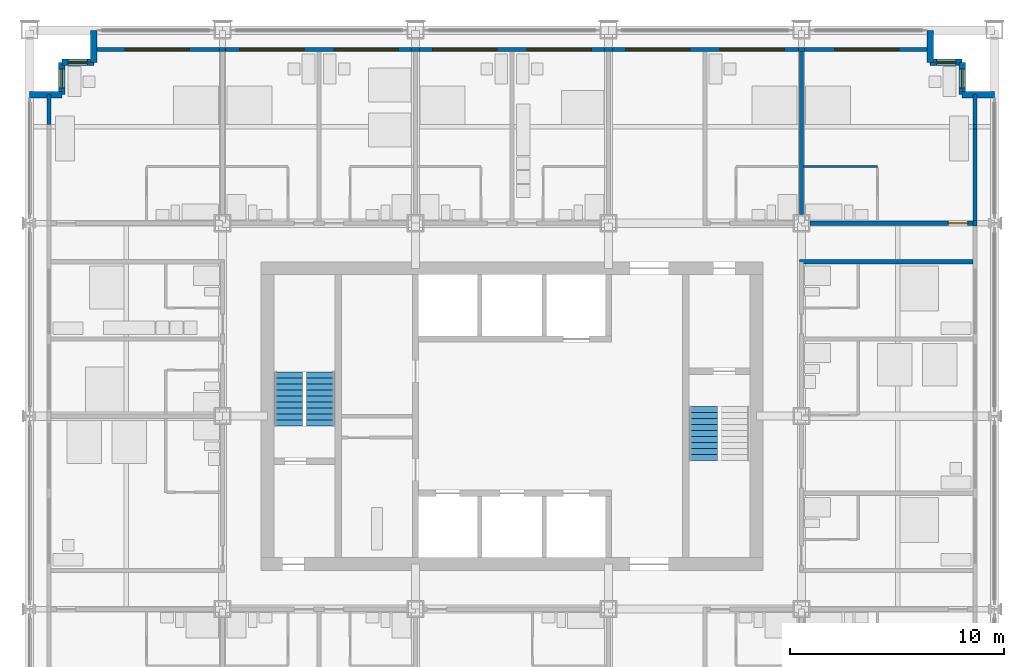
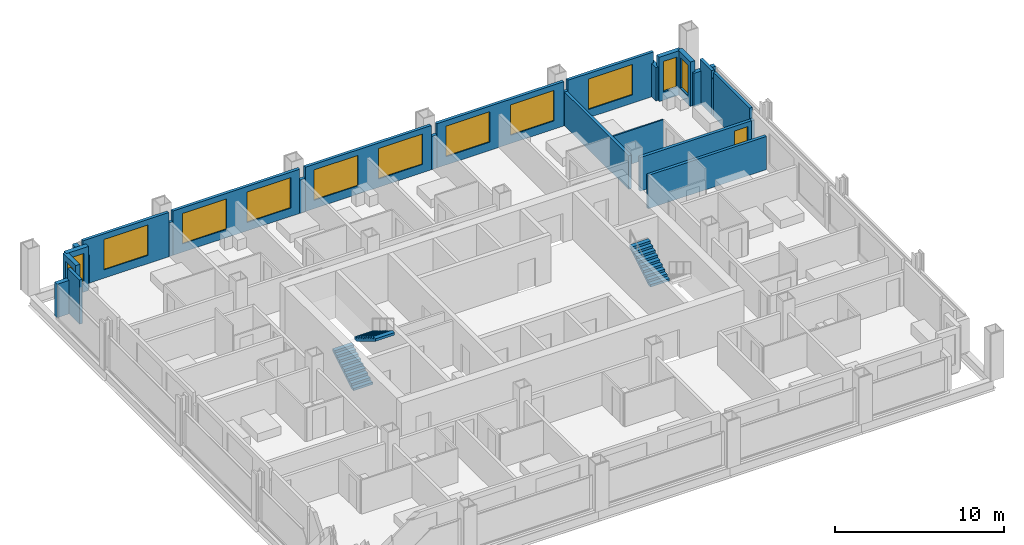
# One storey, part 13 of 17: 26 walls, 12 windows, 3 stair flights, 1 door, 13 openings, 2 elements without a shape of their own.
"""IFC4 building model written with IfcOpenShell, lengths in metres."""

from ifc_helpers import new_model, si_unit, direction, frame, frame_2d, origin, place, context, subcontext, project, spatial, polyline, rectangle, outline, extrude, material, layer, layer_set, type_object, element, fill, aggregate, save


model = new_model("IFC4")

# Units and contexts
model_context = context("Model", 3, precision=1e-05, world=origin(), true_north=direction((0.0, 1.0)))
body_context = subcontext(model_context, "Body", "Model", "MODEL_VIEW")
ifc_project = project(units=[si_unit("LENGTHUNIT", "METRE"), si_unit("AREAUNIT", "SQUARE_METRE"), si_unit("VOLUMEUNIT", "CUBIC_METRE"), si_unit("PLANEANGLEUNIT", "RADIAN"), si_unit("MASSUNIT", "GRAM", prefix="KILO")], contexts=[model_context])

# Site, building, storey
site_placement = place(None, origin())
site = spatial("IfcSite", under=ifc_project, at=site_placement, CompositionType="ELEMENT")
building_placement = place(site_placement, origin())
building = spatial("IfcBuilding", under=site, at=building_placement, Name="Loomwork Tower", CompositionType="ELEMENT")
storey_placement = place(building_placement, frame((0.0, 0.0, 138.39990234375)))
storey = spatial("IfcBuildingStorey", under=building, at=storey_placement, Name="L37", CompositionType="ELEMENT", Elevation=138.39990234375)

# Wall, opening, door
ifc_material_1 = material(Name="Gypsum board on steel studs, one-hour", Category="steel")
ifc_layer_1 = layer(ifc_material_1, 0.199951171875)
ifc_layer_set_1 = layer_set([ifc_layer_1], Name="Corridor wall 200")
wall_type_1 = type_object("IfcWallType", Name="Corridor wall 200", PredefinedType="PARTITIONING", material=ifc_layer_set_1)
wall_1_placement = place(storey_placement, frame((36.39990234375, 27.0, 0.0), z_axis=(0.0, 0.0, 1.0), x_axis=(1.0, 0.0, 0.0)))
wall_1 = element("IfcWall", 1, at=wall_1_placement, inside=storey, type_object=wall_type_1, Name="North corridor wall 5", PredefinedType="PARTITIONING", context=body_context, shape_type="SweptSolid", body=[
    extrude(rectangle(XDim=7.60009765625, YDim=0.199951171875, at=frame_2d((3.800048828125, 0.0))), origin(), (0.0, 0.0, 1.0), 2.43798828125),
])
opening_1_placement = place(wall_1_placement, frame((6.449951171875, 0.0, 0.0)))
opening_1 = element("IfcOpeningElement", 2, at=opening_1_placement, cuts=wall_1, Name="Opening D1", PredefinedType="OPENING", context=body_context, shape_type="SweptSolid", body=[
    extrude(rectangle(XDim=0.89990234375, YDim=2.10009765625, at=frame_2d((0.449951171875, 1.050048828125))), frame((0.0, 0.10986328125, 0.0), z_axis=(0.0, -1.0, 0.0), x_axis=(1.0, 0.0, 0.0)), (0.0, 0.0, 1.0), 0.219970703125),
])
ifc_material_2 = material(Name="Hollow metal door and frame")
door_type = type_object("IfcDoorType", Name="Guest room entry door 900", OperationType="SINGLE_SWING_LEFT", PredefinedType="DOOR", material=ifc_material_2)
door_placement = place(opening_1_placement, origin())
door = element("IfcDoor", 3, at=door_placement, inside=storey, type_object=door_type, Name="Guest room entry door L37 13", OperationType="SINGLE_SWING_RIGHT", OverallHeight=2.10009765625, OverallWidth=0.89990234375, PredefinedType="DOOR", context=body_context, shape_type="SweptSolid", body=[
    extrude(rectangle(XDim=0.89990234375, YDim=2.10009765625, at=frame_2d((0.449951171875, 1.050048828125))), frame((0.0, 0.02490234375, 0.0), z_axis=(0.0, -1.0, 0.0), x_axis=(1.0, 0.0, 0.0)), (0.0, 0.0, 1.0), 0.050048828125),
])
fill(opening_1, door)

# Walls
wall_2_placement = place(storey_placement, frame((35.89990234375, 25.199951171875, 0.0), z_axis=(0.0, 0.0, 1.0), x_axis=(1.0, 0.0, 0.0)))
element("IfcWall", 4, at=wall_2_placement, inside=storey, type_object=wall_type_1, Name="East band end wall N", PredefinedType="PARTITIONING", context=body_context, shape_type="SweptSolid", body=[
    extrude(rectangle(XDim=8.10009765625, YDim=0.199951171875, at=frame_2d((4.050048828125, 0.0))), origin(), (0.0, 0.0, 1.0), 2.404052734375),
])
ifc_material_3 = material(Name="Cement board on steel studs", Category="steel")
ifc_layer_2 = layer(ifc_material_3, 0.10009765625)
ifc_layer_set_2 = layer_set([ifc_layer_2], Name="En-suite partition 100")
wall_type_2 = type_object("IfcWallType", Name="En-suite partition 100", PredefinedType="PARTITIONING", material=ifc_layer_set_2)
wall_3_placement = place(storey_placement, frame((36.10009765625, 29.64990234375, 0.0), z_axis=(0.0, 0.0, 1.0), x_axis=(1.0, 0.0, 0.0)))
element("IfcWall", 5, at=wall_3_placement, inside=storey, type_object=wall_type_2, Name="En-suite wall L37 room 13", PredefinedType="PARTITIONING", context=body_context, shape_type="SweptSolid", body=[
    extrude(rectangle(XDim=3.449951171875, YDim=0.10009765625, at=frame_2d((1.72509765625, 0.0))), origin(), (0.0, 0.0, 1.0), 2.43798828125),
])
ifc_material_4 = material(Name="Gypsum board on steel studs, acoustic", Category="steel")
ifc_layer_3 = layer(ifc_material_4, 0.199951171875)
ifc_layer_set_3 = layer_set([ifc_layer_3], Name="Guest room party wall 200")
wall_type_3 = type_object("IfcWallType", Name="Guest room party wall 200", PredefinedType="PARTITIONING", material=ifc_layer_set_3)
wall_4_placement = place(storey_placement, frame((36.0, 27.39990234375, 0.0), z_axis=(0.0, 0.0, 1.0), x_axis=(0.0, 1.0, 0.0)))
element("IfcWall", 6, at=wall_4_placement, inside=storey, type_object=wall_type_3, Name="Guest room party wall N 36", PredefinedType="PARTITIONING", context=body_context, shape_type="SweptSolid", body=[
    extrude(rectangle(XDim=7.60009765625, YDim=0.199951171875, at=frame_2d((3.800048828125, 0.0))), origin(), (0.0, 0.0, 1.0), 2.43798828125),
])

# Wall, opening, window
ifc_material_5 = material(Name="Insulated steel stud wall with gypsum lining", Category="steel")
ifc_layer_4 = layer(ifc_material_5, 0.199951171875)
ifc_layer_set_4 = layer_set([ifc_layer_4], Name="Inner skin wall 200")
wall_type_4 = type_object("IfcWallType", Name="Inner skin wall 200", PredefinedType="SOLIDWALL", material=ifc_layer_set_4)
wall_5_placement = place(storey_placement, frame((3.0, 35.10009765625, 0.0), z_axis=(0.0, 0.0, 1.0), x_axis=(1.0, 0.0, 0.0)))
wall_5 = element("IfcWall", 7, at=wall_5_placement, inside=storey, type_object=wall_type_4, Name="Inner skin wall N", PredefinedType="SOLIDWALL", context=body_context, shape_type="SweptSolid", body=[
    extrude(rectangle(XDim=5.86474609375, YDim=0.199951171875, at=frame_2d((2.932373046875, 0.0))), origin(), (0.0, 0.0, 1.0), 3.2001953125),
])
opening_2_placement = place(wall_5_placement, frame((1.449951171875, 0.0, 0.60009765625)))
opening_2 = element("IfcOpeningElement", 8, at=opening_2_placement, cuts=wall_5, Name="Opening CH1", PredefinedType="OPENING", context=body_context, shape_type="SweptSolid", body=[
    extrude(rectangle(XDim=3.0, YDim=2.199951171875, at=frame_2d((1.5, 1.10009765625))), frame((0.0, 0.10986328125, 0.0), z_axis=(0.0, -1.0, 0.0), x_axis=(1.0, 0.0, 0.0)), (0.0, 0.0, 1.0), 0.219970703125),
])
ifc_material_6 = material(Name="Aluminium frame with clear insulated glass", Category="aluminium")
window_type_1 = type_object("IfcWindowType", Name="Chicago window 3000", PartitioningType="TRIPLE_PANEL_VERTICAL", PredefinedType="WINDOW", material=ifc_material_6)
window_1_placement = place(opening_2_placement, origin())
window_1 = element("IfcWindow", 9, at=window_1_placement, inside=storey, type_object=window_type_1, Name="Chicago window L37 bay 6", OverallHeight=2.199951171875, OverallWidth=3.0, PartitioningType="TRIPLE_PANEL_VERTICAL", PredefinedType="WINDOW", context=body_context, shape_type="SweptSolid", body=[
    extrude(rectangle(XDim=3.0, YDim=2.199951171875, at=frame_2d((1.5, 1.10009765625))), frame((0.0, 0.030029296875, 0.0), z_axis=(0.0, -1.0, 0.0), x_axis=(1.0, 0.0, 0.0)), (0.0, 0.0, 1.0), 0.06005859375),
])
fill(opening_2, window_1)

# Walls
wall_6_placement = place(storey_placement, frame((0.89990234375, 31.607421875, 0.0), z_axis=(0.0, 0.0, 1.0), x_axis=(0.0, 1.0, 0.0)))
element("IfcWall", 10, at=wall_6_placement, inside=storey, type_object=wall_type_4, Name="Inner skin wall W bay 11", PredefinedType="SOLIDWALL", context=body_context, shape_type="SweptSolid", body=[
    extrude(rectangle(XDim=1.392578125, YDim=0.199951171875, at=frame_2d((0.6962890625, 0.0))), origin(), (0.0, 0.0, 1.0), 3.2001953125),
])
wall_7_placement = place(storey_placement, frame((8.86474609375, 35.10009765625, 0.0), z_axis=(0.0, 0.0, 1.0), x_axis=(1.0, 0.0, 0.0)))
element("IfcWall", 11, at=wall_7_placement, inside=storey, type_object=wall_type_4, Name="Inner skin wall N bay 2", PredefinedType="SOLIDWALL", context=body_context, shape_type="SweptSolid", body=[
    extrude(rectangle(XDim=0.2705078125, YDim=0.199951171875, at=frame_2d((0.13525390625, 0.0))), origin(), (0.0, 0.0, 1.0), 2.43798828125),
])

# Wall, openings, windows
wall_8_placement = place(storey_placement, frame((9.13525390625, 35.10009765625, 0.0), z_axis=(0.0, 0.0, 1.0), x_axis=(1.0, 0.0, 0.0)))
wall_8 = element("IfcWall", 12, at=wall_8_placement, inside=storey, type_object=wall_type_4, Name="Inner skin wall N bay 3", PredefinedType="SOLIDWALL", context=body_context, shape_type="SweptSolid", body=[
    extrude(rectangle(XDim=8.6708984375, YDim=0.199951171875, at=frame_2d((4.33544921875, 0.0))), origin(), (0.0, 0.0, 1.0), 3.2001953125),
])
opening_3_placement = place(wall_8_placement, frame((0.664794921875, 0.0, 0.60009765625)))
opening_3 = element("IfcOpeningElement", 13, at=opening_3_placement, cuts=wall_8, Name="Opening CH1", PredefinedType="OPENING", context=body_context, shape_type="SweptSolid", body=[
    extrude(rectangle(XDim=3.0, YDim=2.199951171875, at=frame_2d((1.5, 1.10009765625))), frame((0.0, 0.10986328125, 0.0), z_axis=(0.0, -1.0, 0.0), x_axis=(1.0, 0.0, 0.0)), (0.0, 0.0, 1.0), 0.219970703125),
])
opening_4_placement = place(wall_8_placement, frame((5.064697265625, 0.0, 0.60009765625)))
opening_4 = element("IfcOpeningElement", 14, at=opening_4_placement, cuts=wall_8, Name="Opening CH1", PredefinedType="OPENING", context=body_context, shape_type="SweptSolid", body=[
    extrude(rectangle(XDim=3.0, YDim=2.199951171875, at=frame_2d((1.5, 1.10009765625))), frame((0.0, 0.10986328125, 0.0), z_axis=(0.0, -1.0, 0.0), x_axis=(1.0, 0.0, 0.0)), (0.0, 0.0, 1.0), 0.219970703125),
])
window_2_placement = place(opening_3_placement, origin())
window_2 = element("IfcWindow", 15, at=window_2_placement, inside=storey, type_object=window_type_1, Name="Chicago window L37 bay 7", OverallHeight=2.199951171875, OverallWidth=3.0, PartitioningType="TRIPLE_PANEL_VERTICAL", PredefinedType="WINDOW", context=body_context, shape_type="SweptSolid", body=[
    extrude(rectangle(XDim=3.0, YDim=2.199951171875, at=frame_2d((1.5, 1.10009765625))), frame((0.0, 0.030029296875, 0.0), z_axis=(0.0, -1.0, 0.0), x_axis=(1.0, 0.0, 0.0)), (0.0, 0.0, 1.0), 0.06005859375),
])
fill(opening_3, window_2)
window_3_placement = place(opening_4_placement, origin())
window_3 = element("IfcWindow", 16, at=window_3_placement, inside=storey, type_object=window_type_1, Name="Chicago window L37 bay 7", OverallHeight=2.199951171875, OverallWidth=3.0, PartitioningType="TRIPLE_PANEL_VERTICAL", PredefinedType="WINDOW", context=body_context, shape_type="SweptSolid", body=[
    extrude(rectangle(XDim=3.0, YDim=2.199951171875, at=frame_2d((1.5, 1.10009765625))), frame((0.0, 0.030029296875, 0.0), z_axis=(0.0, -1.0, 0.0), x_axis=(1.0, 0.0, 0.0)), (0.0, 0.0, 1.0), 0.06005859375),
])
fill(opening_4, window_3)

# Wall
wall_9_placement = place(storey_placement, frame((17.80615234375, 35.10009765625, 0.0), z_axis=(0.0, 0.0, 1.0), x_axis=(1.0, 0.0, 0.0)))
element("IfcWall", 17, at=wall_9_placement, inside=storey, type_object=wall_type_4, Name="Inner skin wall N bay 4", PredefinedType="SOLIDWALL", context=body_context, shape_type="SweptSolid", body=[
    extrude(rectangle(XDim=0.3876953125, YDim=0.199951171875, at=frame_2d((0.19384765625, 0.0))), origin(), (0.0, 0.0, 1.0), 2.404052734375),
])

# Wall, openings, windows
wall_10_placement = place(storey_placement, frame((18.19384765625, 35.10009765625, 0.0), z_axis=(0.0, 0.0, 1.0), x_axis=(1.0, 0.0, 0.0)))
wall_10 = element("IfcWall", 18, at=wall_10_placement, inside=storey, type_object=wall_type_4, Name="Inner skin wall N bay 5", PredefinedType="SOLIDWALL", context=body_context, shape_type="SweptSolid", body=[
    extrude(rectangle(XDim=8.6123046875, YDim=0.199951171875, at=frame_2d((4.30615234375, 0.0))), origin(), (0.0, 0.0, 1.0), 3.2001953125),
])
opening_5_placement = place(wall_10_placement, frame((0.606201171875, 0.0, 0.60009765625)))
opening_5 = element("IfcOpeningElement", 19, at=opening_5_placement, cuts=wall_10, Name="Opening CH1", PredefinedType="OPENING", context=body_context, shape_type="SweptSolid", body=[
    extrude(rectangle(XDim=3.0, YDim=2.199951171875, at=frame_2d((1.5, 1.10009765625))), frame((0.0, 0.10986328125, 0.0), z_axis=(0.0, -1.0, 0.0), x_axis=(1.0, 0.0, 0.0)), (0.0, 0.0, 1.0), 0.219970703125),
])
opening_6_placement = place(wall_10_placement, frame((5.006103515625, 0.0, 0.60009765625)))
opening_6 = element("IfcOpeningElement", 20, at=opening_6_placement, cuts=wall_10, Name="Opening CH1", PredefinedType="OPENING", context=body_context, shape_type="SweptSolid", body=[
    extrude(rectangle(XDim=3.0, YDim=2.199951171875, at=frame_2d((1.5, 1.10009765625))), frame((0.0, 0.10986328125, 0.0), z_axis=(0.0, -1.0, 0.0), x_axis=(1.0, 0.0, 0.0)), (0.0, 0.0, 1.0), 0.219970703125),
])
window_4_placement = place(opening_5_placement, origin())
window_4 = element("IfcWindow", 21, at=window_4_placement, inside=storey, type_object=window_type_1, Name="Chicago window L37 bay 8", OverallHeight=2.199951171875, OverallWidth=3.0, PartitioningType="TRIPLE_PANEL_VERTICAL", PredefinedType="WINDOW", context=body_context, shape_type="SweptSolid", body=[
    extrude(rectangle(XDim=3.0, YDim=2.199951171875, at=frame_2d((1.5, 1.10009765625))), frame((0.0, 0.030029296875, 0.0), z_axis=(0.0, -1.0, 0.0), x_axis=(1.0, 0.0, 0.0)), (0.0, 0.0, 1.0), 0.06005859375),
])
fill(opening_5, window_4)
window_5_placement = place(opening_6_placement, origin())
window_5 = element("IfcWindow", 22, at=window_5_placement, inside=storey, type_object=window_type_1, Name="Chicago window L37 bay 8", OverallHeight=2.199951171875, OverallWidth=3.0, PartitioningType="TRIPLE_PANEL_VERTICAL", PredefinedType="WINDOW", context=body_context, shape_type="SweptSolid", body=[
    extrude(rectangle(XDim=3.0, YDim=2.199951171875, at=frame_2d((1.5, 1.10009765625))), frame((0.0, 0.030029296875, 0.0), z_axis=(0.0, -1.0, 0.0), x_axis=(1.0, 0.0, 0.0)), (0.0, 0.0, 1.0), 0.06005859375),
])
fill(opening_6, window_5)

# Wall
wall_11_placement = place(storey_placement, frame((26.80615234375, 35.10009765625, 0.0), z_axis=(0.0, 0.0, 1.0), x_axis=(1.0, 0.0, 0.0)))
element("IfcWall", 23, at=wall_11_placement, inside=storey, type_object=wall_type_4, Name="Inner skin wall N bay 6", PredefinedType="SOLIDWALL", context=body_context, shape_type="SweptSolid", body=[
    extrude(rectangle(XDim=0.3876953125, YDim=0.199951171875, at=frame_2d((0.19384765625, 0.0))), origin(), (0.0, 0.0, 1.0), 2.404052734375),
])

# Wall, openings, windows
wall_12_placement = place(storey_placement, frame((27.19384765625, 35.10009765625, 0.0), z_axis=(0.0, 0.0, 1.0), x_axis=(1.0, 0.0, 0.0)))
wall_12 = element("IfcWall", 24, at=wall_12_placement, inside=storey, type_object=wall_type_4, Name="Inner skin wall N bay 7", PredefinedType="SOLIDWALL", context=body_context, shape_type="SweptSolid", body=[
    extrude(rectangle(XDim=8.670654296875, YDim=0.199951171875, at=frame_2d((4.33544921875, 0.0))), origin(), (0.0, 0.0, 1.0), 3.2001953125),
])
opening_7_placement = place(wall_12_placement, frame((0.606201171875, 0.0, 0.60009765625)))
opening_7 = element("IfcOpeningElement", 25, at=opening_7_placement, cuts=wall_12, Name="Opening CH1", PredefinedType="OPENING", context=body_context, shape_type="SweptSolid", body=[
    extrude(rectangle(XDim=3.0, YDim=2.199951171875, at=frame_2d((1.5, 1.10009765625))), frame((0.0, 0.10986328125, 0.0), z_axis=(0.0, -1.0, 0.0), x_axis=(1.0, 0.0, 0.0)), (0.0, 0.0, 1.0), 0.219970703125),
])
opening_8_placement = place(wall_12_placement, frame((5.006103515625, 0.0, 0.60009765625)))
opening_8 = element("IfcOpeningElement", 26, at=opening_8_placement, cuts=wall_12, Name="Opening CH1", PredefinedType="OPENING", context=body_context, shape_type="SweptSolid", body=[
    extrude(rectangle(XDim=3.0, YDim=2.199951171875, at=frame_2d((1.5, 1.10009765625))), frame((0.0, 0.10986328125, 0.0), z_axis=(0.0, -1.0, 0.0), x_axis=(1.0, 0.0, 0.0)), (0.0, 0.0, 1.0), 0.219970703125),
])
window_6_placement = place(opening_7_placement, origin())
window_6 = element("IfcWindow", 27, at=window_6_placement, inside=storey, type_object=window_type_1, Name="Chicago window L37 bay 9", OverallHeight=2.199951171875, OverallWidth=3.0, PartitioningType="TRIPLE_PANEL_VERTICAL", PredefinedType="WINDOW", context=body_context, shape_type="SweptSolid", body=[
    extrude(rectangle(XDim=3.0, YDim=2.199951171875, at=frame_2d((1.5, 1.10009765625))), frame((0.0, 0.030029296875, 0.0), z_axis=(0.0, -1.0, 0.0), x_axis=(1.0, 0.0, 0.0)), (0.0, 0.0, 1.0), 0.06005859375),
])
fill(opening_7, window_6)
window_7_placement = place(opening_8_placement, origin())
window_7 = element("IfcWindow", 28, at=window_7_placement, inside=storey, type_object=window_type_1, Name="Chicago window L37 bay 9", OverallHeight=2.199951171875, OverallWidth=3.0, PartitioningType="TRIPLE_PANEL_VERTICAL", PredefinedType="WINDOW", context=body_context, shape_type="SweptSolid", body=[
    extrude(rectangle(XDim=3.0, YDim=2.199951171875, at=frame_2d((1.5, 1.10009765625))), frame((0.0, 0.030029296875, 0.0), z_axis=(0.0, -1.0, 0.0), x_axis=(1.0, 0.0, 0.0)), (0.0, 0.0, 1.0), 0.06005859375),
])
fill(opening_8, window_7)

# Wall
wall_13_placement = place(storey_placement, frame((35.864501953125, 35.10009765625, 0.0), z_axis=(0.0, 0.0, 1.0), x_axis=(1.0, 0.0, 0.0)))
element("IfcWall", 29, at=wall_13_placement, inside=storey, type_object=wall_type_4, Name="Inner skin wall N bay 8", PredefinedType="SOLIDWALL", context=body_context, shape_type="SweptSolid", body=[
    extrude(rectangle(XDim=0.27099609375, YDim=0.199951171875, at=frame_2d((0.135498046875, 0.0))), origin(), (0.0, 0.0, 1.0), 2.43798828125),
])

# Wall, opening, window
wall_14_placement = place(storey_placement, frame((36.135498046875, 35.10009765625, 0.0), z_axis=(0.0, 0.0, 1.0), x_axis=(1.0, 0.0, 0.0)))
wall_14 = element("IfcWall", 30, at=wall_14_placement, inside=storey, type_object=wall_type_4, Name="Inner skin wall N bay 9", PredefinedType="SOLIDWALL", context=body_context, shape_type="SweptSolid", body=[
    extrude(rectangle(XDim=5.864501953125, YDim=0.199951171875, at=frame_2d((2.93212890625, 0.0))), origin(), (0.0, 0.0, 1.0), 3.2001953125),
])
opening_9_placement = place(wall_14_placement, frame((1.41455078125, 0.0, 0.60009765625)))
opening_9 = element("IfcOpeningElement", 31, at=opening_9_placement, cuts=wall_14, Name="Opening CH1", PredefinedType="OPENING", context=body_context, shape_type="SweptSolid", body=[
    extrude(rectangle(XDim=3.0, YDim=2.199951171875, at=frame_2d((1.5, 1.10009765625))), frame((0.0, 0.10986328125, 0.0), z_axis=(0.0, -1.0, 0.0), x_axis=(1.0, 0.0, 0.0)), (0.0, 0.0, 1.0), 0.219970703125),
])
window_8_placement = place(opening_9_placement, origin())
window_8 = element("IfcWindow", 32, at=window_8_placement, inside=storey, type_object=window_type_1, Name="Chicago window L37 bay 10", OverallHeight=2.199951171875, OverallWidth=3.0, PartitioningType="TRIPLE_PANEL_VERTICAL", PredefinedType="WINDOW", context=body_context, shape_type="SweptSolid", body=[
    extrude(rectangle(XDim=3.0, YDim=2.199951171875, at=frame_2d((1.5, 1.10009765625))), frame((0.0, 0.030029296875, 0.0), z_axis=(0.0, -1.0, 0.0), x_axis=(1.0, 0.0, 0.0)), (0.0, 0.0, 1.0), 0.06005859375),
])
fill(opening_9, window_8)

# Walls
wall_15_placement = place(storey_placement, frame((44.10009765625, 26.86474609375, 0.0), z_axis=(0.0, 0.0, 1.0), x_axis=(0.0, 1.0, 0.0)))
element("IfcWall", 33, at=wall_15_placement, inside=storey, type_object=wall_type_4, Name="Inner skin wall E bay 8", PredefinedType="SOLIDWALL", context=body_context, shape_type="SweptSolid", body=[
    extrude(rectangle(XDim=0.2705078125, YDim=0.199951171875, at=frame_2d((0.13525390625, 0.0))), origin(), (0.0, 0.0, 1.0), 2.43798828125),
])
wall_16_placement = place(storey_placement, frame((44.10009765625, 27.13525390625, 0.0), z_axis=(0.0, 0.0, 1.0), x_axis=(0.0, 1.0, 0.0)))
element("IfcWall", 34, at=wall_16_placement, inside=storey, type_object=wall_type_4, Name="Inner skin wall E bay 9", PredefinedType="SOLIDWALL", context=body_context, shape_type="SweptSolid", body=[
    extrude(rectangle(XDim=4.25732421875, YDim=0.199951171875, at=frame_2d((2.128662109375, 0.0))), origin(), (0.0, 0.0, 1.0), 3.2001953125),
])
wall_17_placement = place(storey_placement, frame((44.10009765625, 31.392578125, 0.0), z_axis=(0.0, 0.0, 1.0), x_axis=(0.0, 1.0, 0.0)))
element("IfcWall", 35, at=wall_17_placement, inside=storey, type_object=wall_type_4, Name="Inner skin wall E bay 10", PredefinedType="SOLIDWALL", context=body_context, shape_type="SweptSolid", body=[
    extrude(rectangle(XDim=0.21484375, YDim=0.199951171875, at=frame_2d((0.107421875, 0.0))), origin(), (0.0, 0.0, 1.0), 2.6611328125),
])
wall_18_placement = place(storey_placement, frame((44.10009765625, 31.607421875, 0.0), z_axis=(0.0, 0.0, 1.0), x_axis=(0.0, 1.0, 0.0)))
element("IfcWall", 36, at=wall_18_placement, inside=storey, type_object=wall_type_4, Name="Inner skin wall E bay 11", PredefinedType="SOLIDWALL", context=body_context, shape_type="SweptSolid", body=[
    extrude(rectangle(XDim=1.392578125, YDim=0.199951171875, at=frame_2d((0.6962890625, 0.0))), origin(), (0.0, 0.0, 1.0), 3.2001953125),
])
ifc_material_7 = material(Name="Limestone on concrete masonry", Category="masonry")
ifc_layer_5 = layer(ifc_material_7, 0.300048828125)
ifc_layer_set_5 = layer_set([ifc_layer_5], Name="Limestone corner wall 300")
wall_type_5 = type_object("IfcWallType", Name="Limestone corner wall 300", PredefinedType="SOLIDWALL", material=ifc_layer_set_5)
wall_19_placement = place(storey_placement, frame((45.0, 33.0, 0.0), z_axis=(0.0, 0.0, 1.0), x_axis=(-1.0, 0.0, 0.0)))
element("IfcWall", 37, at=wall_19_placement, inside=storey, type_object=wall_type_5, Name="Stone corner wall NE 1", PredefinedType="SOLIDWALL", context=body_context, shape_type="SweptSolid", body=[
    extrude(rectangle(XDim=1.5, YDim=0.300048828125, at=frame_2d((0.75, 0.0))), origin(), (0.0, 0.0, 1.0), 2.420166015625),
])

# Wall, opening, window
wall_20_placement = place(storey_placement, frame((43.5, 33.0, 0.0), z_axis=(0.0, 0.0, 1.0), x_axis=(0.0, 1.0, 0.0)))
wall_20 = element("IfcWall", 38, at=wall_20_placement, inside=storey, type_object=wall_type_5, Name="Stone corner wall NE 2", PredefinedType="SOLIDWALL", context=body_context, shape_type="SweptSolid", body=[
    extrude(rectangle(XDim=1.5, YDim=0.300048828125, at=frame_2d((0.75, 0.0))), origin(), (0.0, 0.0, 1.0), 3.2001953125),
])
opening_10_placement = place(wall_20_placement, frame((0.300048828125, 0.0, 0.60009765625)))
opening_10 = element("IfcOpeningElement", 39, at=opening_10_placement, cuts=wall_20, Name="Opening CH2", PredefinedType="OPENING", context=body_context, shape_type="SweptSolid", body=[
    extrude(rectangle(XDim=0.89990234375, YDim=2.199951171875, at=frame_2d((0.449951171875, 1.10009765625))), frame((0.0, 0.159912109375, 0.0), z_axis=(0.0, -1.0, 0.0), x_axis=(1.0, 0.0, 0.0)), (0.0, 0.0, 1.0), 0.320068359375),
])
ifc_material_8 = material(Name="Aluminium frame with clear insulated glass", Category="aluminium")
window_type_2 = type_object("IfcWindowType", Name="Corner window 900", PartitioningType="SINGLE_PANEL", PredefinedType="WINDOW", material=ifc_material_8)
window_9_placement = place(opening_10_placement, origin())
window_9 = element("IfcWindow", 40, at=window_9_placement, inside=storey, type_object=window_type_2, Name="Corner window NE", OverallHeight=2.199951171875, OverallWidth=0.89990234375, PartitioningType="SINGLE_PANEL", PredefinedType="WINDOW", context=body_context, shape_type="SweptSolid", body=[
    extrude(rectangle(XDim=0.89990234375, YDim=2.199951171875, at=frame_2d((0.449951171875, 1.10009765625))), frame((0.0, 0.030029296875, 0.0), z_axis=(0.0, -1.0, 0.0), x_axis=(1.0, 0.0, 0.0)), (0.0, 0.0, 1.0), 0.06005859375),
])
fill(opening_10, window_9)

wall_21_placement = place(storey_placement, frame((43.5, 34.5, 0.0), z_axis=(0.0, 0.0, 1.0), x_axis=(-1.0, 0.0, 0.0)))
wall_21 = element("IfcWall", 41, at=wall_21_placement, inside=storey, type_object=wall_type_5, Name="Stone corner wall NE 3", PredefinedType="SOLIDWALL", context=body_context, shape_type="SweptSolid", body=[
    extrude(rectangle(XDim=1.5, YDim=0.300048828125, at=frame_2d((0.75, 0.0))), origin(), (0.0, 0.0, 1.0), 3.2001953125),
])
opening_11_placement = place(wall_21_placement, frame((0.300048828125, 0.0, 0.60009765625)))
opening_11 = element("IfcOpeningElement", 42, at=opening_11_placement, cuts=wall_21, Name="Opening CH2", PredefinedType="OPENING", context=body_context, shape_type="SweptSolid", body=[
    extrude(rectangle(XDim=0.89990234375, YDim=2.199951171875, at=frame_2d((0.449951171875, 1.10009765625))), frame((0.0, 0.159912109375, 0.0), z_axis=(0.0, -1.0, 0.0), x_axis=(1.0, 0.0, 0.0)), (0.0, 0.0, 1.0), 0.320068359375),
])
window_10_placement = place(opening_11_placement, origin())
window_10 = element("IfcWindow", 43, at=window_10_placement, inside=storey, type_object=window_type_2, Name="Corner window NE", OverallHeight=2.199951171875, OverallWidth=0.89990234375, PartitioningType="SINGLE_PANEL", PredefinedType="WINDOW", context=body_context, shape_type="SweptSolid", body=[
    extrude(rectangle(XDim=0.89990234375, YDim=2.199951171875, at=frame_2d((0.449951171875, 1.10009765625))), frame((0.0, 0.030029296875, 0.0), z_axis=(0.0, -1.0, 0.0), x_axis=(1.0, 0.0, 0.0)), (0.0, 0.0, 1.0), 0.06005859375),
])
fill(opening_11, window_10)

# Walls
for number, where, z_axis, x_axis, name in (
    (44, (42.0, 34.5, 0.0), (0.0, 0.0, 1.0), (0.0, 1.0, 0.0), "Stone corner wall NE 4"),
    (45, (3.0, 36.0, 0.0), (0.0, 0.0, 1.0), (0.0, -1.0, 0.0), "Stone corner wall NW 1"),
):
    element("IfcWall", number, at=place(storey_placement, frame(where, z_axis=z_axis, x_axis=x_axis)), inside=storey, type_object=wall_type_5, Name=name, PredefinedType="SOLIDWALL", context=body_context, shape_type="SweptSolid", body=[
        extrude(rectangle(XDim=1.5, YDim=0.300048828125, at=frame_2d((0.75, 0.0))), origin(), (0.0, 0.0, 1.0), 2.420166015625),
    ])

# Wall, opening, window
wall_22_placement = place(storey_placement, frame((3.0, 34.5, 0.0), z_axis=(0.0, 0.0, 1.0), x_axis=(-1.0, 0.0, 0.0)))
wall_22 = element("IfcWall", 46, at=wall_22_placement, inside=storey, type_object=wall_type_5, Name="Stone corner wall NW 2", PredefinedType="SOLIDWALL", context=body_context, shape_type="SweptSolid", body=[
    extrude(rectangle(XDim=1.5, YDim=0.300048828125, at=frame_2d((0.75, 0.0))), origin(), (0.0, 0.0, 1.0), 3.2001953125),
])
opening_12_placement = place(wall_22_placement, frame((0.300048828125, 0.0, 0.60009765625)))
opening_12 = element("IfcOpeningElement", 47, at=opening_12_placement, cuts=wall_22, Name="Opening CH2", PredefinedType="OPENING", context=body_context, shape_type="SweptSolid", body=[
    extrude(rectangle(XDim=0.89990234375, YDim=2.199951171875, at=frame_2d((0.449951171875, 1.10009765625))), frame((0.0, 0.159912109375, 0.0), z_axis=(0.0, -1.0, 0.0), x_axis=(1.0, 0.0, 0.0)), (0.0, 0.0, 1.0), 0.320068359375),
])
window_11_placement = place(opening_12_placement, origin())
window_11 = element("IfcWindow", 48, at=window_11_placement, inside=storey, type_object=window_type_2, Name="Corner window NW", OverallHeight=2.199951171875, OverallWidth=0.89990234375, PartitioningType="SINGLE_PANEL", PredefinedType="WINDOW", context=body_context, shape_type="SweptSolid", body=[
    extrude(rectangle(XDim=0.89990234375, YDim=2.199951171875, at=frame_2d((0.449951171875, 1.10009765625))), frame((0.0, 0.030029296875, 0.0), z_axis=(0.0, -1.0, 0.0), x_axis=(1.0, 0.0, 0.0)), (0.0, 0.0, 1.0), 0.06005859375),
])
fill(opening_12, window_11)

wall_23_placement = place(storey_placement, frame((1.5, 34.5, 0.0), z_axis=(0.0, 0.0, 1.0), x_axis=(0.0, -1.0, 0.0)))
wall_23 = element("IfcWall", 49, at=wall_23_placement, inside=storey, type_object=wall_type_5, Name="Stone corner wall NW 3", PredefinedType="SOLIDWALL", context=body_context, shape_type="SweptSolid", body=[
    extrude(rectangle(XDim=1.5, YDim=0.300048828125, at=frame_2d((0.75, 0.0))), origin(), (0.0, 0.0, 1.0), 3.2001953125),
])
opening_13_placement = place(wall_23_placement, frame((0.300048828125, 0.0, 0.60009765625)))
opening_13 = element("IfcOpeningElement", 50, at=opening_13_placement, cuts=wall_23, Name="Opening CH2", PredefinedType="OPENING", context=body_context, shape_type="SweptSolid", body=[
    extrude(rectangle(XDim=0.89990234375, YDim=2.199951171875, at=frame_2d((0.449951171875, 1.10009765625))), frame((0.0, 0.159912109375, 0.0), z_axis=(0.0, -1.0, 0.0), x_axis=(1.0, 0.0, 0.0)), (0.0, 0.0, 1.0), 0.320068359375),
])
window_12_placement = place(opening_13_placement, origin())
window_12 = element("IfcWindow", 51, at=window_12_placement, inside=storey, type_object=window_type_2, Name="Corner window NW", OverallHeight=2.199951171875, OverallWidth=0.89990234375, PartitioningType="SINGLE_PANEL", PredefinedType="WINDOW", context=body_context, shape_type="SweptSolid", body=[
    extrude(rectangle(XDim=0.89990234375, YDim=2.199951171875, at=frame_2d((0.449951171875, 1.10009765625))), frame((0.0, 0.030029296875, 0.0), z_axis=(0.0, -1.0, 0.0), x_axis=(1.0, 0.0, 0.0)), (0.0, 0.0, 1.0), 0.06005859375),
])
fill(opening_13, window_12)

# Wall
wall_24_placement = place(storey_placement, frame((1.5, 33.0, 0.0), z_axis=(0.0, 0.0, 1.0), x_axis=(-1.0, 0.0, 0.0)))
element("IfcWall", 52, at=wall_24_placement, inside=storey, type_object=wall_type_5, Name="Stone corner wall NW 4", PredefinedType="SOLIDWALL", context=body_context, shape_type="SweptSolid", body=[
    extrude(rectangle(XDim=1.5, YDim=0.300048828125, at=frame_2d((0.75, 0.0))), origin(), (0.0, 0.0, 1.0), 2.420166015625),
])

# Stair, stair flights
ifc_material_9 = material(Name="Concrete 5000 psi (34 MPa) precast stair", Category="concrete")
stair_type_1 = type_object("IfcStairType", Name="Stair ST-A 20 risers 2850 wide", PredefinedType="HALF_TURN_STAIR", material=ifc_material_9)
stair_1_placement = place(storey_placement, origin())
stair_1 = element("IfcStair", 53, at=stair_1_placement, inside=storey, type_object=stair_type_1, Name="Stair A L37", PredefinedType="HALF_TURN_STAIR")
ifc_material_10 = material(Name="Concrete 5000 psi (34 MPa) precast stair", Category="concrete")
stair_flight_type_1 = type_object("IfcStairFlightType", Name="Stair flight ST-A 10 risers 1300 wide", PredefinedType="STRAIGHT", material=ifc_material_10)
stair_flight_1_placement = place(storey_placement, frame((12.074951171875, 17.550048828125, 0.0), z_axis=(0.0, 0.0, 1.0), x_axis=(0.0, 1.0, 0.0)))
stair_flight_1 = element("IfcStairFlight", 54, at=stair_flight_1_placement, type_object=stair_flight_type_1, Name="ST-A flight 1", NumberOfRisers=10, NumberOfTreads=9, PredefinedType="STRAIGHT", RiserHeight=0.17, TreadLength=0.28, context=body_context, shape_type="SweptSolid", body=[
    extrude(outline(polyline([(0.0, 0.0), (0.0, 0.169921875), (0.280029296875, 0.169921875), (0.280029296875, 0.340087890625), (0.56005859375, 0.340087890625), (0.56005859375, 0.510009765625), (0.840087890625, 0.510009765625), (0.840087890625, 0.679931640625), (1.1201171875, 0.679931640625), (1.1201171875, 0.85009765625), (1.39990234375, 0.85009765625), (1.39990234375, 1.02001953125), (1.679931640625, 1.02001953125), (1.679931640625, 1.18994140625), (1.9599609375, 1.18994140625), (1.9599609375, 1.360107421875), (2.239990234375, 1.360107421875), (2.239990234375, 1.530029296875), (2.52001953125, 1.530029296875), (2.52001953125, 1.699951171875), (2.52001953125, 1.354736328125), (0.288818359375, 0.0), (0.0, 0.0)])), frame((0.0, 0.64990234375, 0.0), z_axis=(0.0, -1.0, 0.0), x_axis=(1.0, 0.0, 0.0)), (0.0, 0.0, 1.0), 1.300048828125),
])
stair_flight_2_placement = place(storey_placement, frame((13.574951171875, 20.070068359375, 1.7001953125), z_axis=(0.0, 0.0, 1.0), x_axis=(0.0, -1.0, 0.0)))
stair_flight_2 = element("IfcStairFlight", 55, at=stair_flight_2_placement, type_object=stair_flight_type_1, Name="ST-A flight 2", NumberOfRisers=10, NumberOfTreads=9, PredefinedType="STRAIGHT", RiserHeight=0.17, TreadLength=0.28, context=body_context, shape_type="SweptSolid", body=[
    extrude(outline(polyline([(0.0, 0.0), (0.0, 0.169921875), (0.280029296875, 0.169921875), (0.280029296875, 0.340087890625), (0.56005859375, 0.340087890625), (0.56005859375, 0.510009765625), (0.840087890625, 0.510009765625), (0.840087890625, 0.679931640625), (1.1201171875, 0.679931640625), (1.1201171875, 0.85009765625), (1.39990234375, 0.85009765625), (1.39990234375, 1.02001953125), (1.679931640625, 1.02001953125), (1.679931640625, 1.18994140625), (1.9599609375, 1.18994140625), (1.9599609375, 1.360107421875), (2.239990234375, 1.360107421875), (2.239990234375, 1.530029296875), (2.52001953125, 1.530029296875), (2.52001953125, 1.699951171875), (2.52001953125, 1.354736328125), (0.288818359375, 0.0), (0.0, 0.0)])), frame((0.0, 0.64990234375, 0.0), z_axis=(0.0, -1.0, 0.0), x_axis=(1.0, 0.0, 0.0)), (0.0, 0.0, 1.0), 1.300048828125),
])
aggregate(stair_1, [stair_flight_1, stair_flight_2])

# Stair, stair flight
ifc_material_11 = material(Name="Concrete 5000 psi (34 MPa) precast stair", Category="concrete")
stair_type_2 = type_object("IfcStairType", Name="Stair ST-B 20 risers 2850 wide", PredefinedType="HALF_TURN_STAIR", material=ifc_material_11)
stair_2_placement = place(storey_placement, origin())
stair_2 = element("IfcStair", 56, at=stair_2_placement, inside=storey, type_object=stair_type_2, Name="Stair B L37", PredefinedType="HALF_TURN_STAIR")
ifc_material_12 = material(Name="Concrete 5000 psi (34 MPa) precast stair", Category="concrete")
stair_flight_type_2 = type_object("IfcStairFlightType", Name="Stair flight ST-B 10 risers 1300 wide", PredefinedType="STRAIGHT", material=ifc_material_12)
stair_flight_3_placement = place(storey_placement, frame((31.425048828125, 15.929931640625, 1.7001953125), z_axis=(0.0, 0.0, 1.0), x_axis=(0.0, 1.0, 0.0)))
stair_flight_3 = element("IfcStairFlight", 57, at=stair_flight_3_placement, type_object=stair_flight_type_2, Name="ST-B flight 2", NumberOfRisers=10, NumberOfTreads=9, PredefinedType="STRAIGHT", RiserHeight=0.17, TreadLength=0.28, context=body_context, shape_type="SweptSolid", body=[
    extrude(outline(polyline([(0.0, 0.0), (0.0, 0.169921875), (0.280029296875, 0.169921875), (0.280029296875, 0.340087890625), (0.56005859375, 0.340087890625), (0.56005859375, 0.510009765625), (0.840087890625, 0.510009765625), (0.840087890625, 0.679931640625), (1.1201171875, 0.679931640625), (1.1201171875, 0.85009765625), (1.39990234375, 0.85009765625), (1.39990234375, 1.02001953125), (1.679931640625, 1.02001953125), (1.679931640625, 1.18994140625), (1.9599609375, 1.18994140625), (1.9599609375, 1.360107421875), (2.239990234375, 1.360107421875), (2.239990234375, 1.530029296875), (2.52001953125, 1.530029296875), (2.52001953125, 1.699951171875), (2.52001953125, 1.354736328125), (0.288818359375, 0.0), (0.0, 0.0)])), frame((0.0, 0.64990234375, 0.0), z_axis=(0.0, -1.0, 0.0), x_axis=(1.0, 0.0, 0.0)), (0.0, 0.0, 1.0), 1.300048828125),
])
aggregate(stair_2, [stair_flight_3])

save(model, "model.ifc")
